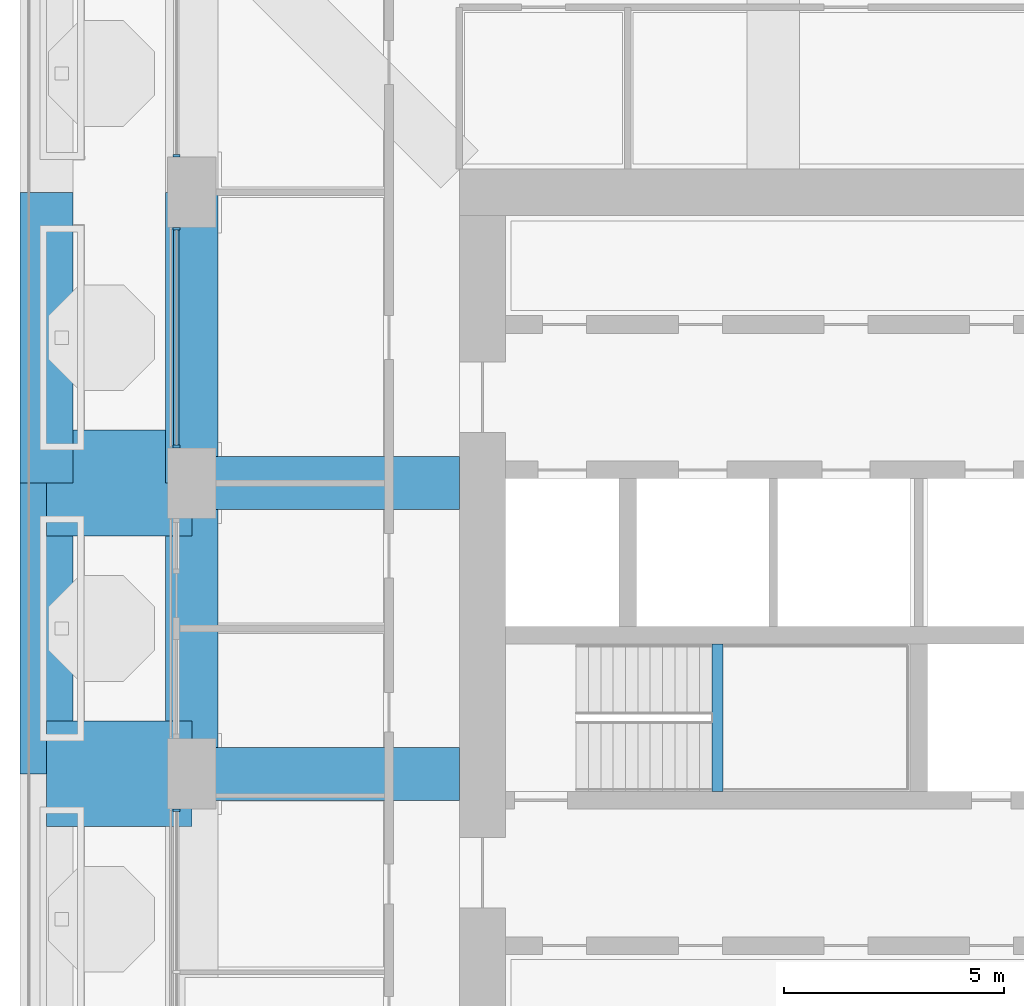
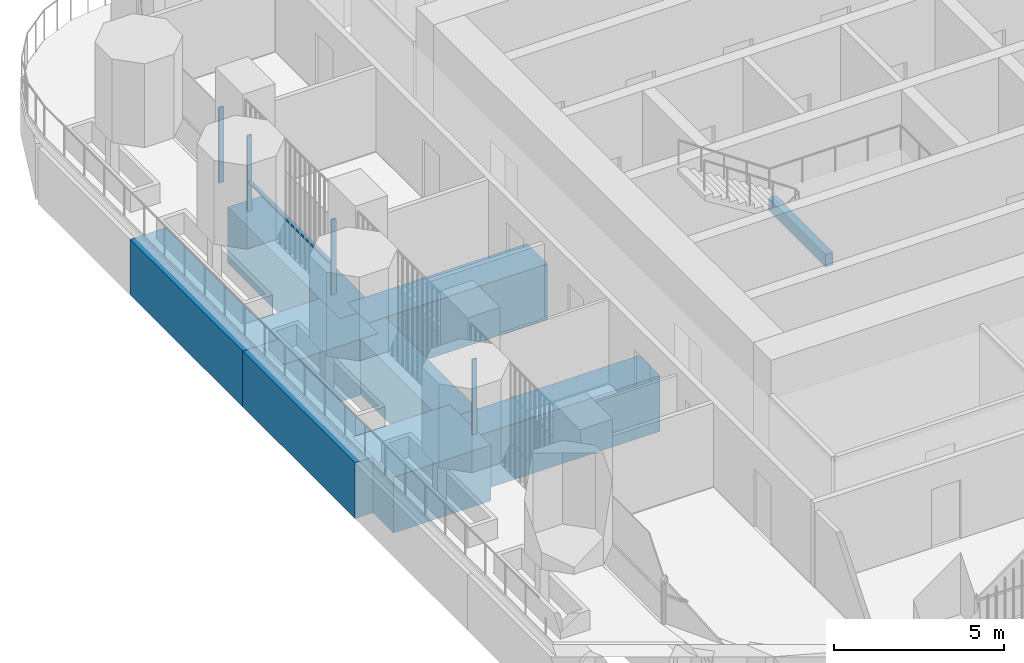
# One storey, part 4 of 24: 9 beams, 5 members, 3 elements without a shape of their own.
"""IFC4 building model written with IfcOpenShell, lengths in metres."""

from ifc_helpers import new_model, si_unit, direction, frame, origin, origin_2d, place, context, subcontext, project, spatial, rectangle, extrude, material, material_profile, profile_set, type_object, element, aggregate, save


model = new_model("IFC4")

# Units and contexts
model_context = context("Model", 3, precision=1e-05, world=origin(), true_north=direction((0.0, 1.0)))
body_context = subcontext(model_context, "Body", "Model", "MODEL_VIEW")
ifc_project = project(units=[si_unit("LENGTHUNIT", "METRE"), si_unit("AREAUNIT", "SQUARE_METRE"), si_unit("VOLUMEUNIT", "CUBIC_METRE"), si_unit("PLANEANGLEUNIT", "RADIAN"), si_unit("MASSUNIT", "GRAM", prefix="KILO")], contexts=[model_context])

# Site, building, storey
site_placement = place(None, origin())
site = spatial("IfcSite", under=ifc_project, at=site_placement, CompositionType="ELEMENT")
building_placement = place(site_placement, origin())
building = spatial("IfcBuilding", under=site, at=building_placement, Name="Cobogo Forest Laboratory Tower", CompositionType="ELEMENT")
storey_placement = place(building_placement, frame((0.0, 0.0, 229.199951171875)))
storey = spatial("IfcBuildingStorey", under=building, at=storey_placement, Name="L52", CompositionType="ELEMENT", Elevation=229.199951171875)

# Beam
ifc_material_1 = material(Name="Concrete HA-40 (C40/50)", Category="concrete")
ifc_material_profile_1 = material_profile(ifc_material_1, rectangle(XDim=0.25, YDim=0.449951171875, at=origin_2d()), Name="RC 250x450")
ifc_profile_set_1 = profile_set([ifc_material_profile_1], Name="Concrete HA-40 (C40/50)")
beam_type_1 = type_object("IfcBeamType", Name="LB1 landing beam 250x450", PredefinedType="BEAM", material=ifc_profile_set_1)
beam_1_placement = place(storey_placement, frame((18.530029296875, 19.39990234375, 1.675048828125), z_axis=(0.0, 1.0, 0.0), x_axis=(-1.0, 0.0, 0.0)))
element("IfcBeam", 1, at=beam_1_placement, inside=storey, type_object=beam_type_1, Name="Landing beam ST1 L52", PredefinedType="BEAM", context=body_context, shape_type="SweptSolid", body=[
    extrude(rectangle(XDim=0.25, YDim=0.449951171875, at=origin_2d()), origin(), (0.0, 0.0, 1.0), 3.35009765625),
])

# Curtain wall, member
ifc_material_2 = material(Name="Aluminium curtain wall", Category="aluminium")
curtain_wall_type = type_object("IfcCurtainWallType", Name="CW-2 unitised curtain wall, solar control glazing, laboratory floors zones C and D", PredefinedType="USERDEFINED", material=ifc_material_2)
curtain_wall_1_placement = place(storey_placement, origin())
curtain_wall_1 = element("IfcCurtainWall", 2, at=curtain_wall_1_placement, inside=storey, type_object=curtain_wall_type, Name="Curtain wall 20 L52", ObjectType="UNITISED CURTAIN WALL", PredefinedType="USERDEFINED")
ifc_material_3 = material(Name="Aluminium mullion", Category="aluminium")
ifc_material_profile_2 = material_profile(ifc_material_3, rectangle(XDim=0.06005859375, YDim=0.159912109375, at=origin_2d()), Name="AL 60x160")
ifc_profile_set_2 = profile_set([ifc_material_profile_2], Name="Aluminium mullion")
member_type_1 = type_object("IfcMemberType", Name="MU-1 aluminium mullion 60x160", PredefinedType="MULLION", material=ifc_profile_set_2)
member_1_placement = place(storey_placement, frame((6.25, 33.830078125, 0.0), z_axis=(0.0, 0.0, 1.0), x_axis=(0.0, -1.0, 0.0)))
member_1 = element("IfcMember", 3, at=member_1_placement, type_object=member_type_1, Name="CW-2 mullion 2", PredefinedType="MULLION", context=body_context, shape_type="SweptSolid", body=[
    extrude(rectangle(XDim=0.06005859375, YDim=0.159912109375, at=origin_2d()), origin(), (0.0, 0.0, 1.0), 2.699951171875),
])
aggregate(curtain_wall_1, [member_1])

# Curtain wall, members
curtain_wall_2_placement = place(storey_placement, origin())
curtain_wall_2 = element("IfcCurtainWall", 4, at=curtain_wall_2_placement, inside=storey, type_object=curtain_wall_type, Name="Curtain wall 21 L52", ObjectType="UNITISED CURTAIN WALL", PredefinedType="USERDEFINED")
member_2_placement = place(storey_placement, frame((6.25, 32.169921875, 0.0), z_axis=(0.0, 0.0, 1.0), x_axis=(0.0, -1.0, 0.0)))
member_2 = element("IfcMember", 5, at=member_2_placement, type_object=member_type_1, Name="CW-2 mullion 1", PredefinedType="MULLION", context=body_context, shape_type="SweptSolid", body=[
    extrude(rectangle(XDim=0.06005859375, YDim=0.159912109375, at=origin_2d()), origin(), (0.0, 0.0, 1.0), 2.699951171875),
])
member_3_placement = place(storey_placement, frame((6.25, 27.22998046875, 0.0), z_axis=(0.0, 0.0, 1.0), x_axis=(0.0, -1.0, 0.0)))
member_3 = element("IfcMember", 6, at=member_3_placement, type_object=member_type_1, Name="CW-2 mullion 2", PredefinedType="MULLION", context=body_context, shape_type="SweptSolid", body=[
    extrude(rectangle(XDim=0.06005859375, YDim=0.159912109375, at=origin_2d()), origin(), (0.0, 0.0, 1.0), 2.699951171875),
])

# Curtain wall, member
curtain_wall_3_placement = place(storey_placement, origin())
curtain_wall_3 = element("IfcCurtainWall", 7, at=curtain_wall_3_placement, inside=storey, type_object=curtain_wall_type, Name="Curtain wall 23 L52", ObjectType="UNITISED CURTAIN WALL", PredefinedType="USERDEFINED")
member_4_placement = place(storey_placement, frame((6.25, 18.969970703125, 0.0), z_axis=(0.0, 0.0, 1.0), x_axis=(0.0, -1.0, 0.0)))
member_4 = element("IfcMember", 8, at=member_4_placement, type_object=member_type_1, Name="CW-2 mullion 1", PredefinedType="MULLION", context=body_context, shape_type="SweptSolid", body=[
    extrude(rectangle(XDim=0.06005859375, YDim=0.159912109375, at=origin_2d()), origin(), (0.0, 0.0, 1.0), 2.699951171875),
])
aggregate(curtain_wall_3, [member_4])

# Beams
ifc_material_4 = material(Name="Concrete HA-50 (C50/60)", Category="concrete")
ifc_material_profile_3 = material_profile(ifc_material_4, rectangle(XDim=2.39990234375, YDim=2.0, at=origin_2d()), Name="RC 2400x2000")
ifc_profile_set_3 = profile_set([ifc_material_profile_3], Name="Concrete HA-50 (C50/60)")
beam_type_2 = type_object("IfcBeamType", Name="Setback floor end-bay girder 2400x2000", PredefinedType="BEAM", material=ifc_profile_set_3)
for number, where, z_axis, x_axis, name in (
    (9, (3.300048828125, 19.800048828125, -1.300048828125), (1.0, 0.0, 0.0), (0.0, 1.0, 0.0), "TG3 R-D-W-X L52"),
    (10, (3.300048828125, 26.39990234375, -1.300048828125), (1.0, 0.0, 0.0), (0.0, 1.0, 0.0), "TG3 R-E-W-X L52"),
):
    element("IfcBeam", number, at=place(storey_placement, frame(where, z_axis=z_axis, x_axis=x_axis)), inside=storey, type_object=beam_type_2, Name=name, PredefinedType="BEAM", context=body_context, shape_type="SweptSolid", body=[
        extrude(rectangle(XDim=2.39990234375, YDim=2.0, at=origin_2d()), origin(), (0.0, 0.0, 1.0), 3.300048828125),
    ])
ifc_material_profile_4 = material_profile(ifc_material_1, rectangle(XDim=1.199951171875, YDim=2.0, at=origin_2d()), Name="RC 1200x2000")
ifc_profile_set_4 = profile_set([ifc_material_profile_4], Name="Concrete HA-40 (C40/50)")
beam_type_3 = type_object("IfcBeamType", Name="Setback floor girder 1200x2000", PredefinedType="BEAM", material=ifc_profile_set_4)
for number, where, z_axis, x_axis, name in (
    (11, (12.675048828125, 19.800048828125, -1.300048828125), (-1.0, 0.0, 0.0), (0.0, -1.0, 0.0), "TG2 R-D-W L52"),
    (12, (12.675048828125, 26.39990234375, -1.300048828125), (-1.0, 0.0, 0.0), (0.0, -1.0, 0.0), "TG2 R-E-W L52"),
):
    element("IfcBeam", number, at=place(storey_placement, frame(where, z_axis=z_axis, x_axis=x_axis)), inside=storey, type_object=beam_type_3, Name=name, PredefinedType="BEAM", context=body_context, shape_type="SweptSolid", body=[
        extrude(rectangle(XDim=1.199951171875, YDim=2.0, at=origin_2d()), origin(), (0.0, 0.0, 1.0), 6.074951171875),
    ])
beam_2_placement = place(storey_placement, frame((3.300048828125, 19.800048828125, -1.300048828125), z_axis=(0.0, 1.0, 0.0), x_axis=(-1.0, 0.0, 0.0)))
element("IfcBeam", 13, at=beam_2_placement, inside=storey, type_object=beam_type_3, Name="TG2 E-W2 L52", PredefinedType="BEAM", context=body_context, shape_type="SweptSolid", body=[
    extrude(rectangle(XDim=1.199951171875, YDim=2.0, at=origin_2d()), origin(), (0.0, 0.0, 1.0), 6.599853515625),
])
beam_3_placement = place(storey_placement, frame((3.300048828125, 26.39990234375, -1.300048828125), z_axis=(0.0, 1.0, 0.0), x_axis=(-1.0, 0.0, 0.0)))
element("IfcBeam", 14, at=beam_3_placement, inside=storey, type_object=beam_type_3, Name="TG2 E-W3 L52", PredefinedType="BEAM", context=body_context, shape_type="SweptSolid", body=[
    extrude(rectangle(XDim=1.199951171875, YDim=2.0, at=origin_2d()), origin(), (0.0, 0.0, 1.0), 6.60009765625),
])
beam_4_placement = place(storey_placement, frame((6.60009765625, 19.800048828125, -1.300048828125), z_axis=(0.0, 1.0, 0.0), x_axis=(-1.0, 0.0, 0.0)))
element("IfcBeam", 15, at=beam_4_placement, inside=storey, type_object=beam_type_3, Name="TG2 UE-W2 L52", PredefinedType="BEAM", context=body_context, shape_type="SweptSolid", body=[
    extrude(rectangle(XDim=1.199951171875, YDim=2.0, at=origin_2d()), origin(), (0.0, 0.0, 1.0), 6.599853515625),
])
beam_5_placement = place(storey_placement, frame((6.60009765625, 26.39990234375, -1.300048828125), z_axis=(0.0, 1.0, 0.0), x_axis=(-1.0, 0.0, 0.0)))
element("IfcBeam", 16, at=beam_5_placement, inside=storey, type_object=beam_type_3, Name="TG2 UE-W3 L52", PredefinedType="BEAM", context=body_context, shape_type="SweptSolid", body=[
    extrude(rectangle(XDim=1.199951171875, YDim=2.0, at=origin_2d()), origin(), (0.0, 0.0, 1.0), 6.60009765625),
])

# Member
ifc_material_5 = material(Name="Aluminium transom", Category="aluminium")
ifc_material_profile_5 = material_profile(ifc_material_5, rectangle(XDim=0.1201171875, YDim=0.06005859375, at=origin_2d()), Name="AL 60x120")
ifc_profile_set_5 = profile_set([ifc_material_profile_5], Name="Aluminium transom")
member_type_2 = type_object("IfcMemberType", Name="TR-1 aluminium transom 60x120", PredefinedType="USERDEFINED", material=ifc_profile_set_5)
member_5_placement = place(storey_placement, frame((6.25, 32.139892578125, 1.050048828125), z_axis=(0.0, -1.0, 0.0), x_axis=(1.0, 0.0, 0.0)))
member_5 = element("IfcMember", 17, at=member_5_placement, type_object=member_type_2, Name="CW-2 transom 1.1", ObjectType="TRANSOM", PredefinedType="USERDEFINED", context=body_context, shape_type="SweptSolid", body=[
    extrude(rectangle(XDim=0.1201171875, YDim=0.06005859375, at=origin_2d()), origin(), (0.0, 0.0, 1.0), 4.8798828125),
])

aggregate(curtain_wall_2, [member_2, member_3, member_5])

save(model, "model.ifc")
